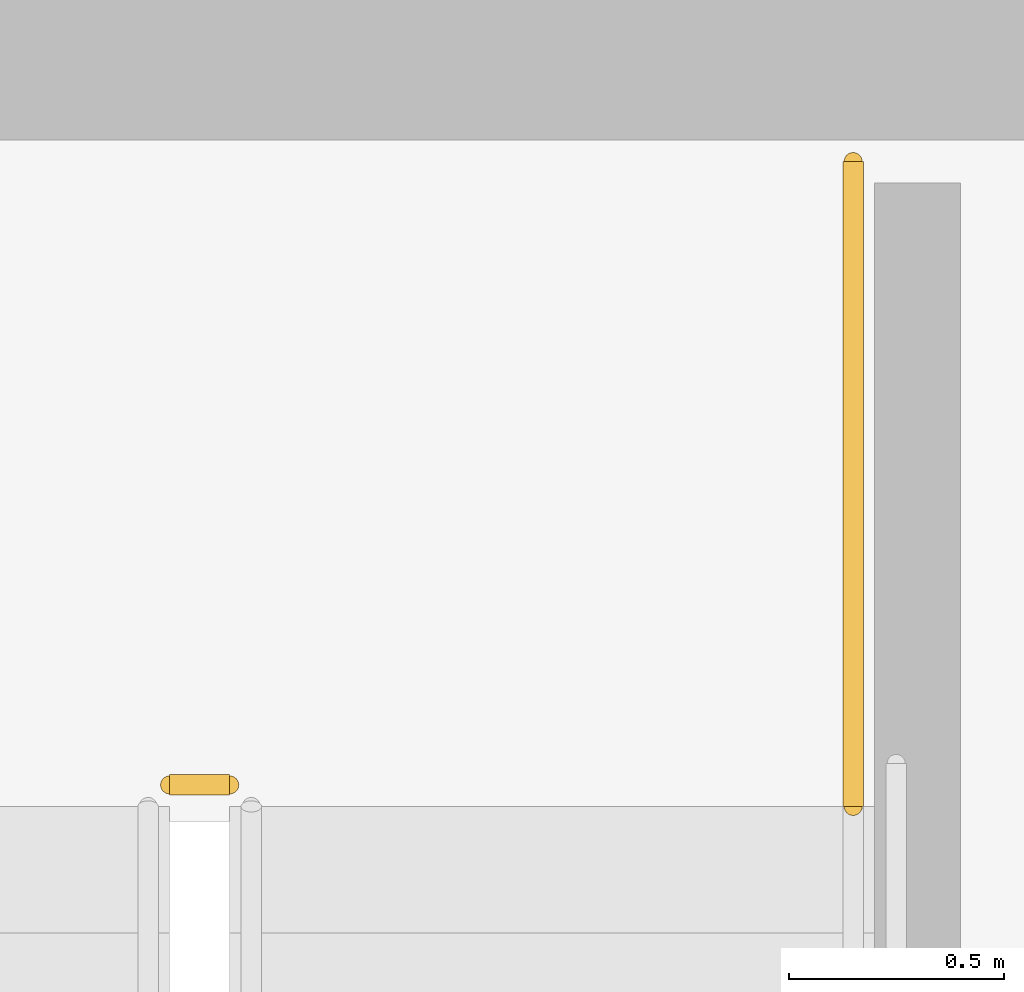
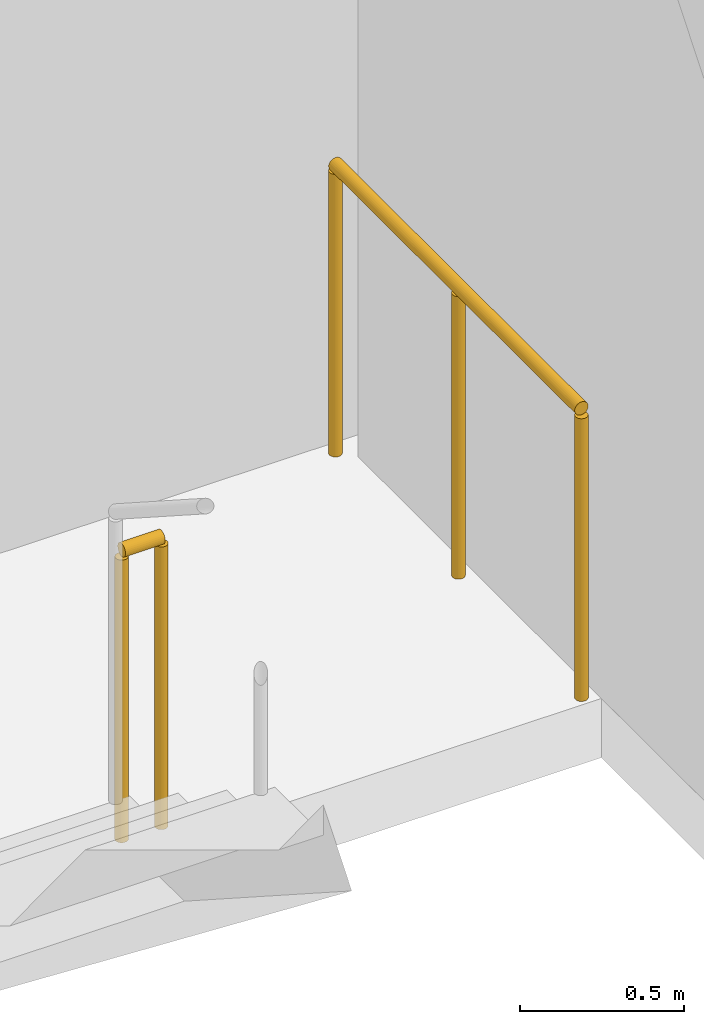
# One storey, part 33 of 34: 2 railings.
"""IFC4 building model written with IfcOpenShell, lengths in metres."""

from ifc_helpers import new_model, si_unit, direction, frame, origin, origin_2d, place, context, subcontext, project, spatial, circle, extrude, material, layer, layer_set, type_object, element, save


model = new_model("IFC4")

# Units and contexts
model_context = context("Model", 3, precision=1e-05, world=origin(), true_north=direction((0.0, 1.0)))
body_context = subcontext(model_context, "Body", "Model", "MODEL_VIEW")
ifc_project = project(units=[si_unit("LENGTHUNIT", "METRE"), si_unit("AREAUNIT", "SQUARE_METRE"), si_unit("VOLUMEUNIT", "CUBIC_METRE"), si_unit("PLANEANGLEUNIT", "RADIAN"), si_unit("MASSUNIT", "GRAM", prefix="KILO")], contexts=[model_context])

# Site, building, storey
site_placement = place(None, origin())
site = spatial("IfcSite", under=ifc_project, at=site_placement, CompositionType="ELEMENT")
building_placement = place(site_placement, origin())
building = spatial("IfcBuilding", under=site, at=building_placement, Name="Ndaravel Arena Tower", CompositionType="ELEMENT")
storey_placement = place(building_placement, frame((0.0, 0.0, 199.199951171875)))
storey = spatial("IfcBuildingStorey", under=building, at=storey_placement, Name="L48", CompositionType="ELEMENT", Elevation=199.199951171875)

# Railings
ifc_material = material(Name="Steel S355", Category="steel")
ifc_layer = layer(ifc_material, 0.06005859375)
ifc_layer_set = layer_set([ifc_layer], Name="Steel S355")
railing_type = type_object("IfcRailingType", Name="RAIL-STAIR-GD1100", PredefinedType="GUARDRAIL", material=ifc_layer_set)
railing_1_placement = place(storey_placement, frame((55.10009765625, 13.300048828125, 0.0)))
element("IfcRailing", 1, at=railing_1_placement, inside=storey, type_object=railing_type, Name="L48 ST-3 stair guard 4", PredefinedType="GUARDRAIL", context=body_context, shape_type="SweptSolid", body=[
    extrude(circle(Radius=0.02392578125, at=origin_2d()), frame((0.0, 0.0, 1.076171875), z_axis=(1.0, 0.0, 0.0), x_axis=(0.0, 1.0, 0.0)), (0.0, 0.0, 1.0), 0.139892578125),
    extrude(circle(Radius=0.02099609375, at=origin_2d()), origin(), (0.0, 0.0, 1.0), 1.052001953125),
    extrude(circle(Radius=0.02099609375, at=origin_2d()), frame((0.139892578125, 0.0, 0.0)), (0.0, 0.0, 1.0), 1.052001953125),
])
railing_2_placement = place(storey_placement, frame((56.68994140625, 14.75, 0.0)))
element("IfcRailing", 2, at=railing_2_placement, inside=storey, type_object=railing_type, Name="L48 ST-3 stair guard 5", PredefinedType="GUARDRAIL", context=body_context, shape_type="SweptSolid", body=[
    extrude(circle(Radius=0.02392578125, at=origin_2d()), frame((0.0, 0.0, 1.076171875), z_axis=(0.0, -1.0, 0.0), x_axis=(1.0, 0.0, 0.0)), (0.0, 0.0, 1.0), 1.5),
    extrude(circle(Radius=0.02099609375, at=origin_2d()), origin(), (0.0, 0.0, 1.0), 1.052001953125),
    extrude(circle(Radius=0.02099609375, at=origin_2d()), frame((0.0, -0.75, 0.0)), (0.0, 0.0, 1.0), 1.052001953125),
    extrude(circle(Radius=0.02099609375, at=origin_2d()), frame((0.0, -1.5, 0.0)), (0.0, 0.0, 1.0), 1.052001953125),
])

save(model, "model.ifc")
